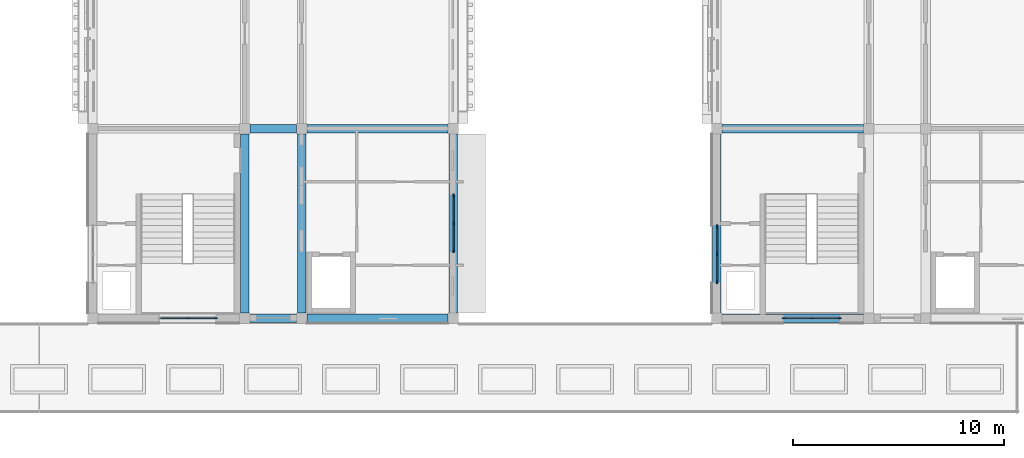
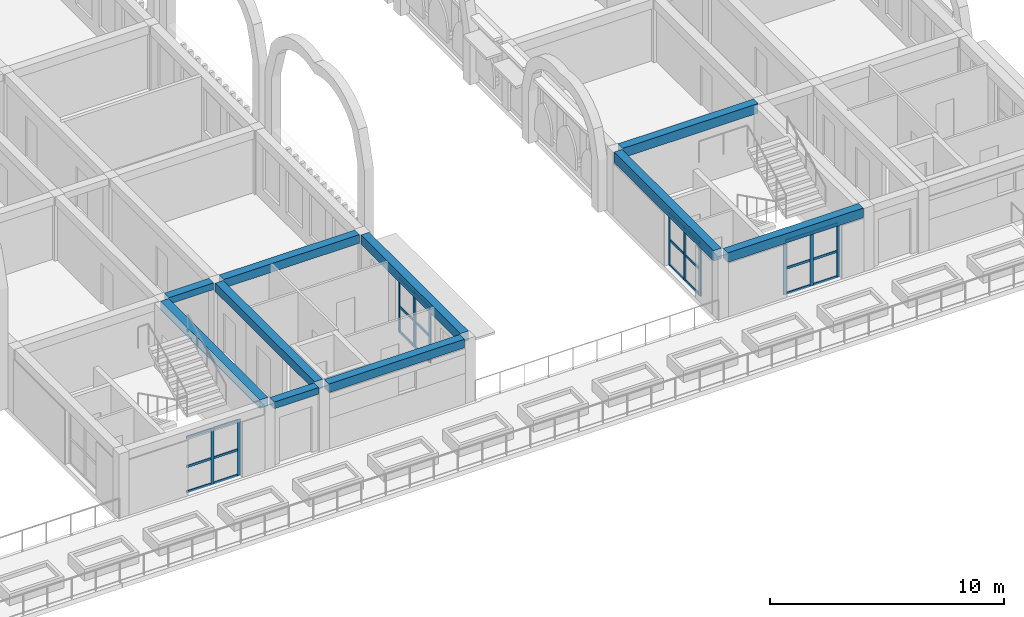
# One storey, part 28 of 82: 35 members, 10 beams, 4 elements without a shape of their own.
"""IFC4 building model written with IfcOpenShell, lengths in metres."""

from ifc_helpers import new_model, si_unit, direction, frame, origin, origin_2d, place, context, subcontext, project, spatial, rectangle, extrude, material, layer, layer_set, material_profile, profile_set, type_object, element, aggregate, save


model = new_model("IFC4")

# Units and contexts
model_context = context("Model", 3, precision=1e-05, world=origin(), true_north=direction((0.0, 1.0)))
body_context = subcontext(model_context, "Body", "Model", "MODEL_VIEW")
ifc_project = project(units=[si_unit("LENGTHUNIT", "METRE"), si_unit("AREAUNIT", "SQUARE_METRE"), si_unit("VOLUMEUNIT", "CUBIC_METRE"), si_unit("PLANEANGLEUNIT", "RADIAN"), si_unit("MASSUNIT", "GRAM", prefix="KILO")], contexts=[model_context])

# Site, building, storey
site_placement = place(None, origin())
site = spatial("IfcSite", under=ifc_project, at=site_placement, CompositionType="ELEMENT")
building_placement = place(site_placement, origin())
building = spatial("IfcBuilding", under=site, at=building_placement, Name="Elbe Cascade School", CompositionType="ELEMENT")
storey_placement = place(building_placement, frame((0.0, 0.0, 4.5)))
storey = spatial("IfcBuildingStorey", under=building, at=storey_placement, Name="L01", CompositionType="ELEMENT", Elevation=4.5)

# Curtain wall, members
ifc_material_1 = material(Name="Aluminium frame with double glazing, bronze anodised", Category="aluminium")
ifc_layer = layer(ifc_material_1, 0.159912109375)
ifc_layer_set = layer_set([ifc_layer], Name="Aluminium frame with double glazing, bronze anodised")
curtain_wall_type = type_object("IfcCurtainWallType", Name="Bars envelope Curtain wall, aluminium, bronze anodised, storey-high slot", PredefinedType="NOTDEFINED", material=ifc_layer_set)
curtain_wall_1_placement = place(storey_placement, origin())
curtain_wall_1 = element("IfcCurtainWall", 1, at=curtain_wall_1_placement, inside=storey, type_object=curtain_wall_type, Name="Curtain wall CW4 C.L01.e1", PredefinedType="NOTDEFINED")
ifc_material_2 = material(Name="Aluminium mullion, bronze anodised", Category="aluminium")
ifc_material_profile_1 = material_profile(ifc_material_2, rectangle(XDim=0.06005859375, YDim=0.159912109375, at=origin_2d()), Name="Bars envelope Curtain wall mullion 60 x 160, aluminium, storey-high slot")
ifc_profile_set_1 = profile_set([ifc_material_profile_1], Name="Aluminium mullion, bronze anodised")
member_type_1 = type_object("IfcMemberType", Name="Bars envelope Curtain wall mullion 60 x 160, aluminium, storey-high slot", PredefinedType="MULLION", material=ifc_profile_set_1)
member_1_placement = place(storey_placement, frame((145.300048828125, 11.820068359375, 0.0), z_axis=(0.0, 0.0, 1.0), x_axis=(1.0, 0.0, 0.0)))
member_1 = element("IfcMember", 2, at=member_1_placement, type_object=member_type_1, Name="CW4 mullion 1", PredefinedType="MULLION", context=body_context, shape_type="SweptSolid", body=[
    extrude(rectangle(XDim=0.06005859375, YDim=0.159912109375, at=origin_2d()), origin(), (0.0, 0.0, 1.0), 2.85009765625),
])
member_2_placement = place(storey_placement, frame((145.300048828125, 10.5, 0.0), z_axis=(0.0, 0.0, 1.0), x_axis=(1.0, 0.0, 0.0)))
member_2 = element("IfcMember", 3, at=member_2_placement, type_object=member_type_1, Name="CW4 mullion 2", PredefinedType="MULLION", context=body_context, shape_type="SweptSolid", body=[
    extrude(rectangle(XDim=0.06005859375, YDim=0.159912109375, at=origin_2d()), origin(), (0.0, 0.0, 1.0), 2.85009765625),
])
member_3_placement = place(storey_placement, frame((145.300048828125, 9.179931640625, 0.0), z_axis=(0.0, 0.0, 1.0), x_axis=(1.0, 0.0, 0.0)))
member_3 = element("IfcMember", 4, at=member_3_placement, type_object=member_type_1, Name="CW4 mullion 3", PredefinedType="MULLION", context=body_context, shape_type="SweptSolid", body=[
    extrude(rectangle(XDim=0.06005859375, YDim=0.159912109375, at=origin_2d()), origin(), (0.0, 0.0, 1.0), 2.85009765625),
])

curtain_wall_2_placement = place(storey_placement, origin())
curtain_wall_2 = element("IfcCurtainWall", 5, at=curtain_wall_2_placement, inside=storey, type_object=curtain_wall_type, Name="Curtain wall CW4 C.L01.s1", PredefinedType="NOTDEFINED")
member_4_placement = place(storey_placement, frame((134.02001953125, 6.0, 0.0), z_axis=(0.0, 0.0, 1.0), x_axis=(0.0, -1.0, 0.0)))
member_4 = element("IfcMember", 6, at=member_4_placement, type_object=member_type_1, Name="CW4 mullion 1", PredefinedType="MULLION", context=body_context, shape_type="SweptSolid", body=[
    extrude(rectangle(XDim=0.06005859375, YDim=0.159912109375, at=origin_2d()), origin(), (0.0, 0.0, 1.0), 2.89990234375),
])
member_5_placement = place(storey_placement, frame((132.699951171875, 6.0, 0.0), z_axis=(0.0, 0.0, 1.0), x_axis=(0.0, -1.0, 0.0)))
member_5 = element("IfcMember", 7, at=member_5_placement, type_object=member_type_1, Name="CW4 mullion 2", PredefinedType="MULLION", context=body_context, shape_type="SweptSolid", body=[
    extrude(rectangle(XDim=0.06005859375, YDim=0.159912109375, at=origin_2d()), origin(), (0.0, 0.0, 1.0), 2.89990234375),
])

curtain_wall_3_placement = place(storey_placement, origin())
curtain_wall_3 = element("IfcCurtainWall", 8, at=curtain_wall_3_placement, inside=storey, type_object=curtain_wall_type, Name="Curtain wall CW4 D.L01.w1", PredefinedType="NOTDEFINED")
member_6_placement = place(storey_placement, frame((157.800048828125, 7.719970703125, 0.0), z_axis=(0.0, 0.0, 1.0), x_axis=(-1.0, 0.0, 0.0)))
member_6 = element("IfcMember", 9, at=member_6_placement, type_object=member_type_1, Name="CW4 mullion 1", PredefinedType="MULLION", context=body_context, shape_type="SweptSolid", body=[
    extrude(rectangle(XDim=0.06005859375, YDim=0.159912109375, at=origin_2d()), origin(), (0.0, 0.0, 1.0), 2.75),
])
member_7_placement = place(storey_placement, frame((157.800048828125, 9.0400390625, 0.0), z_axis=(0.0, 0.0, 1.0), x_axis=(-1.0, 0.0, 0.0)))
member_7 = element("IfcMember", 10, at=member_7_placement, type_object=member_type_1, Name="CW4 mullion 2", PredefinedType="MULLION", context=body_context, shape_type="SweptSolid", body=[
    extrude(rectangle(XDim=0.06005859375, YDim=0.159912109375, at=origin_2d()), origin(), (0.0, 0.0, 1.0), 2.75),
])
member_8_placement = place(storey_placement, frame((157.800048828125, 10.360107421875, 0.0), z_axis=(0.0, 0.0, 1.0), x_axis=(-1.0, 0.0, 0.0)))
member_8 = element("IfcMember", 11, at=member_8_placement, type_object=member_type_1, Name="CW4 mullion 3", PredefinedType="MULLION", context=body_context, shape_type="SweptSolid", body=[
    extrude(rectangle(XDim=0.06005859375, YDim=0.159912109375, at=origin_2d()), origin(), (0.0, 0.0, 1.0), 2.75),
])

curtain_wall_4_placement = place(storey_placement, origin())
curtain_wall_4 = element("IfcCurtainWall", 12, at=curtain_wall_4_placement, inside=storey, type_object=curtain_wall_type, Name="Curtain wall CW4 D.L01.s1", PredefinedType="NOTDEFINED")
member_9_placement = place(storey_placement, frame((163.6201171875, 6.0, 0.0), z_axis=(0.0, 0.0, 1.0), x_axis=(0.0, -1.0, 0.0)))
member_9 = element("IfcMember", 13, at=member_9_placement, type_object=member_type_1, Name="CW4 mullion 1", PredefinedType="MULLION", context=body_context, shape_type="SweptSolid", body=[
    extrude(rectangle(XDim=0.06005859375, YDim=0.159912109375, at=origin_2d()), origin(), (0.0, 0.0, 1.0), 2.800048828125),
])
member_10_placement = place(storey_placement, frame((162.300048828125, 6.0, 0.0), z_axis=(0.0, 0.0, 1.0), x_axis=(0.0, -1.0, 0.0)))
member_10 = element("IfcMember", 14, at=member_10_placement, type_object=member_type_1, Name="CW4 mullion 2", PredefinedType="MULLION", context=body_context, shape_type="SweptSolid", body=[
    extrude(rectangle(XDim=0.06005859375, YDim=0.159912109375, at=origin_2d()), origin(), (0.0, 0.0, 1.0), 2.800048828125),
])
member_11_placement = place(storey_placement, frame((160.97998046875, 6.0, 0.0), z_axis=(0.0, 0.0, 1.0), x_axis=(0.0, -1.0, 0.0)))
member_11 = element("IfcMember", 15, at=member_11_placement, type_object=member_type_1, Name="CW4 mullion 3", PredefinedType="MULLION", context=body_context, shape_type="SweptSolid", body=[
    extrude(rectangle(XDim=0.06005859375, YDim=0.159912109375, at=origin_2d()), origin(), (0.0, 0.0, 1.0), 2.800048828125),
])

# Member
ifc_material_3 = material(Name="Aluminium transom, bronze anodised", Category="aluminium")
ifc_material_profile_2 = material_profile(ifc_material_3, rectangle(XDim=0.06005859375, YDim=0.1201171875, at=origin_2d()), Name="Bars envelope Curtain wall transom 60 x 120, aluminium, storey-high slot")
ifc_profile_set_2 = profile_set([ifc_material_profile_2], Name="Aluminium transom, bronze anodised")
member_type_2 = type_object("IfcMemberType", Name="Bars envelope Curtain wall transom 60 x 120, aluminium, storey-high slot", PredefinedType="USERDEFINED", material=ifc_profile_set_2)
member_12_placement = place(storey_placement, frame((145.300048828125, 11.7900390625, 0.030029296875), z_axis=(0.0, -1.0, 0.0), x_axis=(1.0, 0.0, 0.0)))
member_12 = element("IfcMember", 16, at=member_12_placement, type_object=member_type_2, Name="CW4 transom 1.1", ObjectType="TRANSOM", PredefinedType="USERDEFINED", context=body_context, shape_type="SweptSolid", body=[
    extrude(rectangle(XDim=0.06005859375, YDim=0.1201171875, at=origin_2d()), origin(), (0.0, 0.0, 1.0), 1.260009765625),
])

member_13_placement = place(storey_placement, frame((145.300048828125, 11.7900390625, 1.35009765625), z_axis=(0.0, -1.0, 0.0), x_axis=(1.0, 0.0, 0.0)))
member_13 = element("IfcMember", 17, at=member_13_placement, type_object=member_type_2, Name="CW4 transom 1.2", ObjectType="TRANSOM", PredefinedType="USERDEFINED", context=body_context, shape_type="SweptSolid", body=[
    extrude(rectangle(XDim=0.06005859375, YDim=0.1201171875, at=origin_2d()), origin(), (0.0, 0.0, 1.0), 1.260009765625),
])

member_14_placement = place(storey_placement, frame((145.300048828125, 11.7900390625, 2.820068359375), z_axis=(0.0, -1.0, 0.0), x_axis=(1.0, 0.0, 0.0)))
member_14 = element("IfcMember", 18, at=member_14_placement, type_object=member_type_2, Name="CW4 transom 1.3", ObjectType="TRANSOM", PredefinedType="USERDEFINED", context=body_context, shape_type="SweptSolid", body=[
    extrude(rectangle(XDim=0.06005859375, YDim=0.1201171875, at=origin_2d()), origin(), (0.0, 0.0, 1.0), 1.260009765625),
])

member_15_placement = place(storey_placement, frame((145.300048828125, 10.469970703125, 0.030029296875), z_axis=(0.0, -1.0, 0.0), x_axis=(1.0, 0.0, 0.0)))
member_15 = element("IfcMember", 19, at=member_15_placement, type_object=member_type_2, Name="CW4 transom 2.1", ObjectType="TRANSOM", PredefinedType="USERDEFINED", context=body_context, shape_type="SweptSolid", body=[
    extrude(rectangle(XDim=0.06005859375, YDim=0.1201171875, at=origin_2d()), origin(), (0.0, 0.0, 1.0), 1.260009765625),
])

member_16_placement = place(storey_placement, frame((145.300048828125, 10.469970703125, 1.35009765625), z_axis=(0.0, -1.0, 0.0), x_axis=(1.0, 0.0, 0.0)))
member_16 = element("IfcMember", 20, at=member_16_placement, type_object=member_type_2, Name="CW4 transom 2.2", ObjectType="TRANSOM", PredefinedType="USERDEFINED", context=body_context, shape_type="SweptSolid", body=[
    extrude(rectangle(XDim=0.06005859375, YDim=0.1201171875, at=origin_2d()), origin(), (0.0, 0.0, 1.0), 1.260009765625),
])

member_17_placement = place(storey_placement, frame((145.300048828125, 10.469970703125, 2.820068359375), z_axis=(0.0, -1.0, 0.0), x_axis=(1.0, 0.0, 0.0)))
member_17 = element("IfcMember", 21, at=member_17_placement, type_object=member_type_2, Name="CW4 transom 2.3", ObjectType="TRANSOM", PredefinedType="USERDEFINED", context=body_context, shape_type="SweptSolid", body=[
    extrude(rectangle(XDim=0.06005859375, YDim=0.1201171875, at=origin_2d()), origin(), (0.0, 0.0, 1.0), 1.260009765625),
])

aggregate(curtain_wall_1, [member_1, member_2, member_3, member_12, member_13, member_14, member_15, member_16, member_17])

member_18_placement = place(storey_placement, frame((133.989990234375, 6.0, 0.030029296875), z_axis=(-1.0, 0.0, 0.0), x_axis=(0.0, -1.0, 0.0)))
member_18 = element("IfcMember", 22, at=member_18_placement, type_object=member_type_2, Name="CW4 transom 1.1", ObjectType="TRANSOM", PredefinedType="USERDEFINED", context=body_context, shape_type="SweptSolid", body=[
    extrude(rectangle(XDim=0.06005859375, YDim=0.1201171875, at=origin_2d()), origin(), (0.0, 0.0, 1.0), 1.260009765625),
])

member_19_placement = place(storey_placement, frame((133.989990234375, 6.0, 1.35009765625), z_axis=(-1.0, 0.0, 0.0), x_axis=(0.0, -1.0, 0.0)))
member_19 = element("IfcMember", 23, at=member_19_placement, type_object=member_type_2, Name="CW4 transom 1.2", ObjectType="TRANSOM", PredefinedType="USERDEFINED", context=body_context, shape_type="SweptSolid", body=[
    extrude(rectangle(XDim=0.06005859375, YDim=0.1201171875, at=origin_2d()), origin(), (0.0, 0.0, 1.0), 1.260009765625),
])

member_20_placement = place(storey_placement, frame((133.989990234375, 6.0, 2.8701171875), z_axis=(-1.0, 0.0, 0.0), x_axis=(0.0, -1.0, 0.0)))
member_20 = element("IfcMember", 24, at=member_20_placement, type_object=member_type_2, Name="CW4 transom 1.3", ObjectType="TRANSOM", PredefinedType="USERDEFINED", context=body_context, shape_type="SweptSolid", body=[
    extrude(rectangle(XDim=0.06005859375, YDim=0.1201171875, at=origin_2d()), origin(), (0.0, 0.0, 1.0), 1.260009765625),
])

member_21_placement = place(storey_placement, frame((132.669921875, 6.0, 0.030029296875), z_axis=(-1.0, 0.0, 0.0), x_axis=(0.0, -1.0, 0.0)))
member_21 = element("IfcMember", 25, at=member_21_placement, type_object=member_type_2, Name="CW4 transom 2.1", ObjectType="TRANSOM", PredefinedType="USERDEFINED", context=body_context, shape_type="SweptSolid", body=[
    extrude(rectangle(XDim=0.06005859375, YDim=0.1201171875, at=origin_2d()), origin(), (0.0, 0.0, 1.0), 1.260009765625),
])

member_22_placement = place(storey_placement, frame((132.669921875, 6.0, 1.35009765625), z_axis=(-1.0, 0.0, 0.0), x_axis=(0.0, -1.0, 0.0)))
member_22 = element("IfcMember", 26, at=member_22_placement, type_object=member_type_2, Name="CW4 transom 2.2", ObjectType="TRANSOM", PredefinedType="USERDEFINED", context=body_context, shape_type="SweptSolid", body=[
    extrude(rectangle(XDim=0.06005859375, YDim=0.1201171875, at=origin_2d()), origin(), (0.0, 0.0, 1.0), 1.260009765625),
])

member_23_placement = place(storey_placement, frame((132.669921875, 6.0, 2.8701171875), z_axis=(-1.0, 0.0, 0.0), x_axis=(0.0, -1.0, 0.0)))
member_23 = element("IfcMember", 27, at=member_23_placement, type_object=member_type_2, Name="CW4 transom 2.3", ObjectType="TRANSOM", PredefinedType="USERDEFINED", context=body_context, shape_type="SweptSolid", body=[
    extrude(rectangle(XDim=0.06005859375, YDim=0.1201171875, at=origin_2d()), origin(), (0.0, 0.0, 1.0), 1.260009765625),
])

aggregate(curtain_wall_2, [member_4, member_5, member_18, member_19, member_20, member_21, member_22, member_23])

member_24_placement = place(storey_placement, frame((157.800048828125, 7.75, 0.030029296875), z_axis=(0.0, 1.0, 0.0), x_axis=(-1.0, 0.0, 0.0)))
member_24 = element("IfcMember", 28, at=member_24_placement, type_object=member_type_2, Name="CW4 transom 1.1", ObjectType="TRANSOM", PredefinedType="USERDEFINED", context=body_context, shape_type="SweptSolid", body=[
    extrude(rectangle(XDim=0.06005859375, YDim=0.1201171875, at=origin_2d()), origin(), (0.0, 0.0, 1.0), 1.260009765625),
])

member_25_placement = place(storey_placement, frame((157.800048828125, 7.75, 1.35009765625), z_axis=(0.0, 1.0, 0.0), x_axis=(-1.0, 0.0, 0.0)))
member_25 = element("IfcMember", 29, at=member_25_placement, type_object=member_type_2, Name="CW4 transom 1.2", ObjectType="TRANSOM", PredefinedType="USERDEFINED", context=body_context, shape_type="SweptSolid", body=[
    extrude(rectangle(XDim=0.06005859375, YDim=0.1201171875, at=origin_2d()), origin(), (0.0, 0.0, 1.0), 1.260009765625),
])

member_26_placement = place(storey_placement, frame((157.800048828125, 7.75, 2.719970703125), z_axis=(0.0, 1.0, 0.0), x_axis=(-1.0, 0.0, 0.0)))
member_26 = element("IfcMember", 30, at=member_26_placement, type_object=member_type_2, Name="CW4 transom 1.3", ObjectType="TRANSOM", PredefinedType="USERDEFINED", context=body_context, shape_type="SweptSolid", body=[
    extrude(rectangle(XDim=0.06005859375, YDim=0.1201171875, at=origin_2d()), origin(), (0.0, 0.0, 1.0), 1.260009765625),
])

member_27_placement = place(storey_placement, frame((157.800048828125, 9.070068359375, 0.030029296875), z_axis=(0.0, 1.0, 0.0), x_axis=(-1.0, 0.0, 0.0)))
member_27 = element("IfcMember", 31, at=member_27_placement, type_object=member_type_2, Name="CW4 transom 2.1", ObjectType="TRANSOM", PredefinedType="USERDEFINED", context=body_context, shape_type="SweptSolid", body=[
    extrude(rectangle(XDim=0.06005859375, YDim=0.1201171875, at=origin_2d()), origin(), (0.0, 0.0, 1.0), 1.260009765625),
])

member_28_placement = place(storey_placement, frame((157.800048828125, 9.070068359375, 1.35009765625), z_axis=(0.0, 1.0, 0.0), x_axis=(-1.0, 0.0, 0.0)))
member_28 = element("IfcMember", 32, at=member_28_placement, type_object=member_type_2, Name="CW4 transom 2.2", ObjectType="TRANSOM", PredefinedType="USERDEFINED", context=body_context, shape_type="SweptSolid", body=[
    extrude(rectangle(XDim=0.06005859375, YDim=0.1201171875, at=origin_2d()), origin(), (0.0, 0.0, 1.0), 1.260009765625),
])

member_29_placement = place(storey_placement, frame((157.800048828125, 9.070068359375, 2.719970703125), z_axis=(0.0, 1.0, 0.0), x_axis=(-1.0, 0.0, 0.0)))
member_29 = element("IfcMember", 33, at=member_29_placement, type_object=member_type_2, Name="CW4 transom 2.3", ObjectType="TRANSOM", PredefinedType="USERDEFINED", context=body_context, shape_type="SweptSolid", body=[
    extrude(rectangle(XDim=0.06005859375, YDim=0.1201171875, at=origin_2d()), origin(), (0.0, 0.0, 1.0), 1.260009765625),
])

aggregate(curtain_wall_3, [member_6, member_7, member_8, member_24, member_25, member_26, member_27, member_28, member_29])

member_30_placement = place(storey_placement, frame((163.590087890625, 6.0, 0.030029296875), z_axis=(-1.0, 0.0, 0.0), x_axis=(0.0, -1.0, 0.0)))
member_30 = element("IfcMember", 34, at=member_30_placement, type_object=member_type_2, Name="CW4 transom 1.1", ObjectType="TRANSOM", PredefinedType="USERDEFINED", context=body_context, shape_type="SweptSolid", body=[
    extrude(rectangle(XDim=0.06005859375, YDim=0.1201171875, at=origin_2d()), origin(), (0.0, 0.0, 1.0), 1.260009765625),
])

member_31_placement = place(storey_placement, frame((163.590087890625, 6.0, 1.35009765625), z_axis=(-1.0, 0.0, 0.0), x_axis=(0.0, -1.0, 0.0)))
member_31 = element("IfcMember", 35, at=member_31_placement, type_object=member_type_2, Name="CW4 transom 1.2", ObjectType="TRANSOM", PredefinedType="USERDEFINED", context=body_context, shape_type="SweptSolid", body=[
    extrude(rectangle(XDim=0.06005859375, YDim=0.1201171875, at=origin_2d()), origin(), (0.0, 0.0, 1.0), 1.260009765625),
])

member_32_placement = place(storey_placement, frame((163.590087890625, 6.0, 2.77001953125), z_axis=(-1.0, 0.0, 0.0), x_axis=(0.0, -1.0, 0.0)))
member_32 = element("IfcMember", 36, at=member_32_placement, type_object=member_type_2, Name="CW4 transom 1.3", ObjectType="TRANSOM", PredefinedType="USERDEFINED", context=body_context, shape_type="SweptSolid", body=[
    extrude(rectangle(XDim=0.06005859375, YDim=0.1201171875, at=origin_2d()), origin(), (0.0, 0.0, 1.0), 1.260009765625),
])

member_33_placement = place(storey_placement, frame((162.27001953125, 6.0, 0.030029296875), z_axis=(-1.0, 0.0, 0.0), x_axis=(0.0, -1.0, 0.0)))
member_33 = element("IfcMember", 37, at=member_33_placement, type_object=member_type_2, Name="CW4 transom 2.1", ObjectType="TRANSOM", PredefinedType="USERDEFINED", context=body_context, shape_type="SweptSolid", body=[
    extrude(rectangle(XDim=0.06005859375, YDim=0.1201171875, at=origin_2d()), origin(), (0.0, 0.0, 1.0), 1.260009765625),
])

member_34_placement = place(storey_placement, frame((162.27001953125, 6.0, 1.35009765625), z_axis=(-1.0, 0.0, 0.0), x_axis=(0.0, -1.0, 0.0)))
member_34 = element("IfcMember", 38, at=member_34_placement, type_object=member_type_2, Name="CW4 transom 2.2", ObjectType="TRANSOM", PredefinedType="USERDEFINED", context=body_context, shape_type="SweptSolid", body=[
    extrude(rectangle(XDim=0.06005859375, YDim=0.1201171875, at=origin_2d()), origin(), (0.0, 0.0, 1.0), 1.260009765625),
])

member_35_placement = place(storey_placement, frame((162.27001953125, 6.0, 2.77001953125), z_axis=(-1.0, 0.0, 0.0), x_axis=(0.0, -1.0, 0.0)))
member_35 = element("IfcMember", 39, at=member_35_placement, type_object=member_type_2, Name="CW4 transom 2.3", ObjectType="TRANSOM", PredefinedType="USERDEFINED", context=body_context, shape_type="SweptSolid", body=[
    extrude(rectangle(XDim=0.06005859375, YDim=0.1201171875, at=origin_2d()), origin(), (0.0, 0.0, 1.0), 1.260009765625),
])

aggregate(curtain_wall_4, [member_9, member_10, member_11, member_30, member_31, member_32, member_33, member_34, member_35])

# Beams
ifc_material_4 = material(Name="Concrete C30/37", Category="concrete")
ifc_material_profile_3 = material_profile(ifc_material_4, rectangle(XDim=0.39990234375, YDim=0.35009765625, at=origin_2d()), Name="RC 400x350")
ifc_profile_set_3 = profile_set([ifc_material_profile_3], Name="Concrete C30/37")
beam_type_1 = type_object("IfcBeamType", Name="RC 400x350 beam", PredefinedType="BEAM", material=ifc_profile_set_3)
for number, where, z_axis, x_axis, name in (
    (40, (135.64990234375, 6.0, 3.175048828125), (1.0, 0.0, 0.0), (0.0, 1.0, 0.0), "RC 400x350 beam B3"),
    (41, (135.64990234375, 15.0, 3.175048828125), (1.0, 0.0, 0.0), (0.0, 1.0, 0.0), "RC 400x350 beam B3"),
):
    element("IfcBeam", number, at=place(storey_placement, frame(where, z_axis=z_axis, x_axis=x_axis)), inside=storey, type_object=beam_type_1, Name=name, PredefinedType="BEAM", context=body_context, shape_type="SweptSolid", body=[
        extrude(rectangle(XDim=0.39990234375, YDim=0.35009765625, at=origin_2d()), origin(), (0.0, 0.0, 1.0), 2.2001953125),
    ])
ifc_material_5 = material(Name="Concrete C30/37", Category="concrete")
ifc_material_profile_4 = material_profile(ifc_material_5, rectangle(XDim=0.39990234375, YDim=0.449951171875, at=origin_2d()), Name="RC 400x450")
ifc_profile_set_4 = profile_set([ifc_material_profile_4], Name="Concrete C30/37")
beam_type_2 = type_object("IfcBeamType", Name="RC 400x450 beam", PredefinedType="BEAM", material=ifc_profile_set_4)
for number, where, z_axis, x_axis, name in (
    (42, (135.39990234375, 6.25, 3.125), (0.0, 1.0, 0.0), (-1.0, 0.0, 0.0), "RC 400x450 beam B2"),
    (43, (138.10009765625, 6.25, 3.125), (0.0, 1.0, 0.0), (-1.0, 0.0, 0.0), "RC 400x450 beam B2"),
):
    element("IfcBeam", number, at=place(storey_placement, frame(where, z_axis=z_axis, x_axis=x_axis)), inside=storey, type_object=beam_type_2, Name=name, PredefinedType="BEAM", context=body_context, shape_type="SweptSolid", body=[
        extrude(rectangle(XDim=0.39990234375, YDim=0.449951171875, at=origin_2d()), origin(), (0.0, 0.0, 1.0), 8.5),
    ])
for number, where, z_axis, x_axis, name in (
    (44, (138.35009765625, 6.0, 3.125), (1.0, 0.0, 0.0), (0.0, 1.0, 0.0), "RC 400x450 beam B2"),
    (45, (138.35009765625, 15.0, 3.125), (1.0, 0.0, 0.0), (0.0, 1.0, 0.0), "RC 400x450 beam B2"),
):
    element("IfcBeam", number, at=place(storey_placement, frame(where, z_axis=z_axis, x_axis=x_axis)), inside=storey, type_object=beam_type_2, Name=name, PredefinedType="BEAM", context=body_context, shape_type="SweptSolid", body=[
        extrude(rectangle(XDim=0.39990234375, YDim=0.449951171875, at=origin_2d()), origin(), (0.0, 0.0, 1.0), 6.699951171875),
    ])
ifc_material_6 = material(Name="Concrete C30/37", Category="concrete")
ifc_material_profile_5 = material_profile(ifc_material_6, rectangle(XDim=0.39990234375, YDim=0.5, at=origin_2d()), Name="RC 400x500")
ifc_profile_set_5 = profile_set([ifc_material_profile_5], Name="Concrete C30/37")
beam_type_3 = type_object("IfcBeamType", Name="RC 400x500 beam", PredefinedType="BEAM", material=ifc_profile_set_5)
beam_1_placement = place(storey_placement, frame((145.300048828125, 6.25, 3.10009765625), z_axis=(0.0, 1.0, 0.0), x_axis=(-1.0, 0.0, 0.0)))
element("IfcBeam", 46, at=beam_1_placement, inside=storey, type_object=beam_type_3, Name="RC 400x500 beam B1", PredefinedType="BEAM", context=body_context, shape_type="SweptSolid", body=[
    extrude(rectangle(XDim=0.39990234375, YDim=0.5, at=origin_2d()), origin(), (0.0, 0.0, 1.0), 8.5),
])
for number, where, z_axis, x_axis, name in (
    (47, (158.050048828125, 6.0, 3.050048828125), (1.0, 0.0, 0.0), (0.0, 1.0, 0.0), "RC 400x500 beam B1"),
    (48, (158.050048828125, 15.0, 3.050048828125), (1.0, 0.0, 0.0), (0.0, 1.0, 0.0), "RC 400x500 beam B1"),
):
    element("IfcBeam", number, at=place(storey_placement, frame(where, z_axis=z_axis, x_axis=x_axis)), inside=storey, type_object=beam_type_3, Name=name, PredefinedType="BEAM", context=body_context, shape_type="SweptSolid", body=[
        extrude(rectangle(XDim=0.39990234375, YDim=0.5, at=origin_2d()), origin(), (0.0, 0.0, 1.0), 6.699951171875),
    ])
ifc_material_7 = material(Name="Concrete C30/37", Category="concrete")
ifc_material_profile_6 = material_profile(ifc_material_7, rectangle(XDim=0.39990234375, YDim=0.550048828125, at=origin_2d()), Name="RC 400x550")
ifc_profile_set_6 = profile_set([ifc_material_profile_6], Name="Concrete C30/37")
beam_type_4 = type_object("IfcBeamType", Name="RC 400x550 beam", PredefinedType="BEAM", material=ifc_profile_set_6)
beam_2_placement = place(storey_placement, frame((157.800048828125, 6.25, 3.02490234375), z_axis=(0.0, 1.0, 0.0), x_axis=(-1.0, 0.0, 0.0)))
element("IfcBeam", 49, at=beam_2_placement, inside=storey, type_object=beam_type_4, Name="RC 400x550 beam B4", PredefinedType="BEAM", context=body_context, shape_type="SweptSolid", body=[
    extrude(rectangle(XDim=0.39990234375, YDim=0.550048828125, at=origin_2d()), origin(), (0.0, 0.0, 1.0), 8.5),
])

save(model, "model.ifc")
